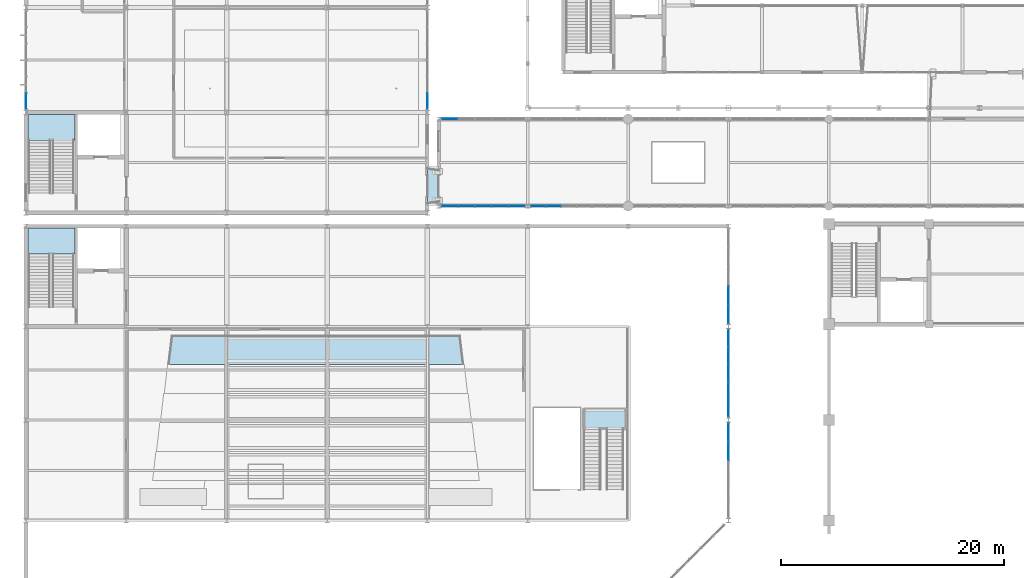
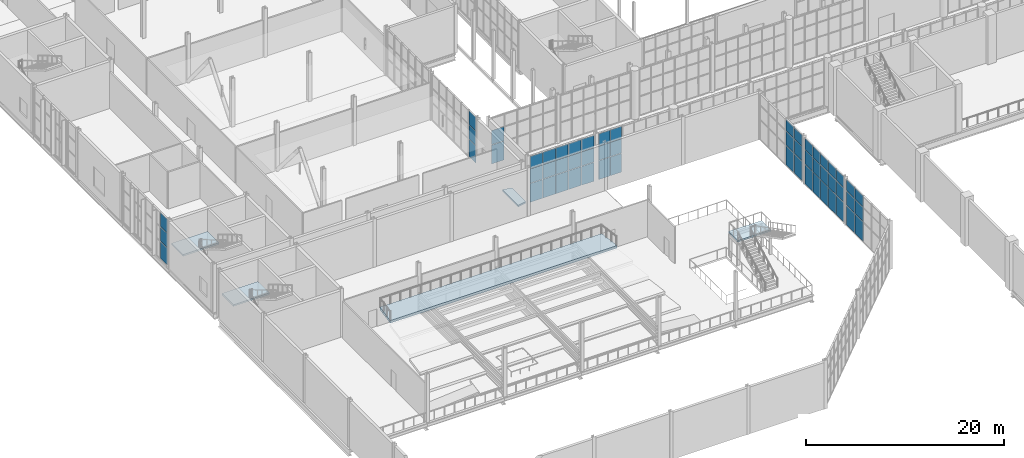
# One storey, part 95 of 159: 56 plates, 5 slabs, 11 elements without a shape of their own.
"""IFC4 building model written with IfcOpenShell, lengths in metres."""

from ifc_helpers import new_model, si_unit, direction, frame, origin, origin_2d, place, context, subcontext, project, spatial, polyline, rectangle, outline, extrude, material, layer, layer_set, type_object, element, aggregate, save


model = new_model("IFC4")

# Units and contexts
model_context = context("Model", 3, precision=1e-05, world=origin(), true_north=direction((0.0, 1.0)))
body_context = subcontext(model_context, "Body", "Model", "MODEL_VIEW")
ifc_project = project(units=[si_unit("LENGTHUNIT", "METRE"), si_unit("AREAUNIT", "SQUARE_METRE"), si_unit("VOLUMEUNIT", "CUBIC_METRE"), si_unit("PLANEANGLEUNIT", "RADIAN"), si_unit("MASSUNIT", "GRAM", prefix="KILO")], contexts=[model_context])

# Site, building, storey
site_placement = place(None, origin())
site = spatial("IfcSite", under=ifc_project, at=site_placement, CompositionType="ELEMENT")
building_placement = place(site_placement, origin())
building = spatial("IfcBuilding", under=site, at=building_placement, Name="Cazmaro Siding Exhibition Halls", CompositionType="ELEMENT")
storey_placement = place(building_placement, frame((0.0, 0.0, 6.0)))
storey = spatial("IfcBuildingStorey", under=building, at=storey_placement, Name="L01", CompositionType="ELEMENT", Elevation=6.0)

# Curtain wall, plates
ifc_material_1 = material(Name="Anodized Bronze Aluminum and Solar-Control Low-E Glazing", Category="aluminium")
ifc_layer_1 = layer(ifc_material_1, 0.179931640625)
ifc_layer_set_1 = layer_set([ifc_layer_1], Name="Anodized Bronze Aluminum and Solar-Control Low-E Glazing")
curtain_wall_type_1 = type_object("IfcCurtainWallType", Name="CWS-01", PredefinedType="USERDEFINED", material=ifc_layer_set_1)
curtain_wall_1_placement = place(storey_placement, origin())
curtain_wall_1 = element("IfcCurtainWall", 1, at=curtain_wall_1_placement, inside=storey, type_object=curtain_wall_type_1, Name="Glazed Curtain Wall CWS-01 CW-141", ObjectType="GLAZED CURTAIN WALL", PredefinedType="USERDEFINED")
ifc_material_2 = material(Name="Solar-Control Low-E Double Insulating Glass", Category="glass")
ifc_layer_2 = layer(ifc_material_2, 0.02392578125)
ifc_layer_set_2 = layer_set([ifc_layer_2], Name="Solar-Control Low-E Double Insulating Glass")
plate_type_1 = type_object("IfcPlateType", Name="CWP-01", PredefinedType="CURTAIN_PANEL", material=ifc_layer_set_2)
plate_1_placement = place(storey_placement, frame((37.9990234375, 55.199951171875, 0.06005859375), z_axis=(0.0, 0.0, 1.0), x_axis=(1.0, 0.0, 0.0)))
plate_1 = element("IfcPlate", 2, at=plate_1_placement, type_object=plate_type_1, Name="CWS-01 panel 1.1", PredefinedType="CURTAIN_PANEL", context=body_context, shape_type="SweptSolid", body=[
    extrude(rectangle(XDim=1.41796875, YDim=0.02392578125, at=origin_2d()), origin(), (0.0, 0.0, 1.0), 2.31005859375),
])
plate_2_placement = place(storey_placement, frame((37.9990234375, 55.199951171875, 2.43017578125), z_axis=(0.0, 0.0, 1.0), x_axis=(1.0, 0.0, 0.0)))
plate_2 = element("IfcPlate", 3, at=plate_2_placement, type_object=plate_type_1, Name="CWS-01 panel 1.2", PredefinedType="CURTAIN_PANEL", context=body_context, shape_type="SweptSolid", body=[
    extrude(rectangle(XDim=1.41796875, YDim=0.02392578125, at=origin_2d()), origin(), (0.0, 0.0, 1.0), 1.739990234375),
])
plate_3_placement = place(storey_placement, frame((37.9990234375, 55.199951171875, 4.22998046875), z_axis=(0.0, 0.0, 1.0), x_axis=(1.0, 0.0, 0.0)))
plate_3 = element("IfcPlate", 4, at=plate_3_placement, type_object=plate_type_1, Name="CWS-01 panel 1.3", PredefinedType="CURTAIN_PANEL", context=body_context, shape_type="SweptSolid", body=[
    extrude(rectangle(XDim=1.41796875, YDim=0.02392578125, at=origin_2d()), origin(), (0.0, 0.0, 1.0), 1.489990234375),
])
plate_4_placement = place(storey_placement, frame((39.491943359375, 55.199951171875, 0.06005859375), z_axis=(0.0, 0.0, 1.0), x_axis=(1.0, 0.0, 0.0)))
plate_4 = element("IfcPlate", 5, at=plate_4_placement, type_object=plate_type_1, Name="CWS-01 panel 2.1", PredefinedType="CURTAIN_PANEL", context=body_context, shape_type="SweptSolid", body=[
    extrude(rectangle(XDim=1.447998046875, YDim=0.02392578125, at=origin_2d()), origin(), (0.0, 0.0, 1.0), 2.31005859375),
])
plate_5_placement = place(storey_placement, frame((39.491943359375, 55.199951171875, 2.43017578125), z_axis=(0.0, 0.0, 1.0), x_axis=(1.0, 0.0, 0.0)))
plate_5 = element("IfcPlate", 6, at=plate_5_placement, type_object=plate_type_1, Name="CWS-01 panel 2.2", PredefinedType="CURTAIN_PANEL", context=body_context, shape_type="SweptSolid", body=[
    extrude(rectangle(XDim=1.447998046875, YDim=0.02392578125, at=origin_2d()), origin(), (0.0, 0.0, 1.0), 1.739990234375),
])
plate_6_placement = place(storey_placement, frame((39.491943359375, 55.199951171875, 4.22998046875), z_axis=(0.0, 0.0, 1.0), x_axis=(1.0, 0.0, 0.0)))
plate_6 = element("IfcPlate", 7, at=plate_6_placement, type_object=plate_type_1, Name="CWS-01 panel 2.3", PredefinedType="CURTAIN_PANEL", context=body_context, shape_type="SweptSolid", body=[
    extrude(rectangle(XDim=1.447998046875, YDim=0.02392578125, at=origin_2d()), origin(), (0.0, 0.0, 1.0), 1.489990234375),
])
plate_7_placement = place(storey_placement, frame((41.0, 55.199951171875, 0.06005859375), z_axis=(0.0, 0.0, 1.0), x_axis=(1.0, 0.0, 0.0)))
plate_7 = element("IfcPlate", 8, at=plate_7_placement, type_object=plate_type_1, Name="CWS-01 panel 3.1", PredefinedType="CURTAIN_PANEL", context=body_context, shape_type="SweptSolid", body=[
    extrude(rectangle(XDim=1.447998046875, YDim=0.02392578125, at=origin_2d()), origin(), (0.0, 0.0, 1.0), 2.31005859375),
])
plate_8_placement = place(storey_placement, frame((41.0, 55.199951171875, 2.43017578125), z_axis=(0.0, 0.0, 1.0), x_axis=(1.0, 0.0, 0.0)))
plate_8 = element("IfcPlate", 9, at=plate_8_placement, type_object=plate_type_1, Name="CWS-01 panel 3.2", PredefinedType="CURTAIN_PANEL", context=body_context, shape_type="SweptSolid", body=[
    extrude(rectangle(XDim=1.447998046875, YDim=0.02392578125, at=origin_2d()), origin(), (0.0, 0.0, 1.0), 1.739990234375),
])
plate_9_placement = place(storey_placement, frame((41.0, 55.199951171875, 4.22998046875), z_axis=(0.0, 0.0, 1.0), x_axis=(1.0, 0.0, 0.0)))
plate_9 = element("IfcPlate", 10, at=plate_9_placement, type_object=plate_type_1, Name="CWS-01 panel 3.3", PredefinedType="CURTAIN_PANEL", context=body_context, shape_type="SweptSolid", body=[
    extrude(rectangle(XDim=1.447998046875, YDim=0.02392578125, at=origin_2d()), origin(), (0.0, 0.0, 1.0), 1.489990234375),
])
plate_10_placement = place(storey_placement, frame((42.508056640625, 55.199951171875, 0.06005859375), z_axis=(0.0, 0.0, 1.0), x_axis=(1.0, 0.0, 0.0)))
plate_10 = element("IfcPlate", 11, at=plate_10_placement, type_object=plate_type_1, Name="CWS-01 panel 4.1", PredefinedType="CURTAIN_PANEL", context=body_context, shape_type="SweptSolid", body=[
    extrude(rectangle(XDim=1.447998046875, YDim=0.02392578125, at=origin_2d()), origin(), (0.0, 0.0, 1.0), 2.31005859375),
])
plate_11_placement = place(storey_placement, frame((42.508056640625, 55.199951171875, 2.43017578125), z_axis=(0.0, 0.0, 1.0), x_axis=(1.0, 0.0, 0.0)))
plate_11 = element("IfcPlate", 12, at=plate_11_placement, type_object=plate_type_1, Name="CWS-01 panel 4.2", PredefinedType="CURTAIN_PANEL", context=body_context, shape_type="SweptSolid", body=[
    extrude(rectangle(XDim=1.447998046875, YDim=0.02392578125, at=origin_2d()), origin(), (0.0, 0.0, 1.0), 1.739990234375),
])
plate_12_placement = place(storey_placement, frame((42.508056640625, 55.199951171875, 4.22998046875), z_axis=(0.0, 0.0, 1.0), x_axis=(1.0, 0.0, 0.0)))
plate_12 = element("IfcPlate", 13, at=plate_12_placement, type_object=plate_type_1, Name="CWS-01 panel 4.3", PredefinedType="CURTAIN_PANEL", context=body_context, shape_type="SweptSolid", body=[
    extrude(rectangle(XDim=1.447998046875, YDim=0.02392578125, at=origin_2d()), origin(), (0.0, 0.0, 1.0), 1.489990234375),
])
plate_13_placement = place(storey_placement, frame((44.0009765625, 55.199951171875, 0.06005859375), z_axis=(0.0, 0.0, 1.0), x_axis=(1.0, 0.0, 0.0)))
plate_13 = element("IfcPlate", 14, at=plate_13_placement, type_object=plate_type_1, Name="CWS-01 panel 5.1", PredefinedType="CURTAIN_PANEL", context=body_context, shape_type="SweptSolid", body=[
    extrude(rectangle(XDim=1.41796875, YDim=0.02392578125, at=origin_2d()), origin(), (0.0, 0.0, 1.0), 2.31005859375),
])
plate_14_placement = place(storey_placement, frame((44.0009765625, 55.199951171875, 2.43017578125), z_axis=(0.0, 0.0, 1.0), x_axis=(1.0, 0.0, 0.0)))
plate_14 = element("IfcPlate", 15, at=plate_14_placement, type_object=plate_type_1, Name="CWS-01 panel 5.2", PredefinedType="CURTAIN_PANEL", context=body_context, shape_type="SweptSolid", body=[
    extrude(rectangle(XDim=1.41796875, YDim=0.02392578125, at=origin_2d()), origin(), (0.0, 0.0, 1.0), 1.739990234375),
])
plate_15_placement = place(storey_placement, frame((44.0009765625, 55.199951171875, 4.22998046875), z_axis=(0.0, 0.0, 1.0), x_axis=(1.0, 0.0, 0.0)))
plate_15 = element("IfcPlate", 16, at=plate_15_placement, type_object=plate_type_1, Name="CWS-01 panel 5.3", PredefinedType="CURTAIN_PANEL", context=body_context, shape_type="SweptSolid", body=[
    extrude(rectangle(XDim=1.41796875, YDim=0.02392578125, at=origin_2d()), origin(), (0.0, 0.0, 1.0), 1.489990234375),
])
aggregate(curtain_wall_1, [plate_1, plate_2, plate_3, plate_4, plate_5, plate_6, plate_7, plate_8, plate_9, plate_10, plate_11, plate_12, plate_13, plate_14, plate_15])

curtain_wall_2_placement = place(storey_placement, origin())
curtain_wall_2 = element("IfcCurtainWall", 17, at=curtain_wall_2_placement, inside=storey, type_object=curtain_wall_type_1, Name="Glazed Curtain Wall CWS-01 CW-143", ObjectType="GLAZED CURTAIN WALL", PredefinedType="USERDEFINED")
plate_16_placement = place(storey_placement, frame((37.9990234375, 63.0, 0.06005859375), z_axis=(0.0, 0.0, 1.0), x_axis=(-1.0, 0.0, 0.0)))
plate_16 = element("IfcPlate", 18, at=plate_16_placement, type_object=plate_type_1, Name="CWS-01 panel 5.1", PredefinedType="CURTAIN_PANEL", context=body_context, shape_type="SweptSolid", body=[
    extrude(rectangle(XDim=1.41796875, YDim=0.02392578125, at=origin_2d()), origin(), (0.0, 0.0, 1.0), 2.31005859375),
])
plate_17_placement = place(storey_placement, frame((37.9990234375, 63.0, 2.43017578125), z_axis=(0.0, 0.0, 1.0), x_axis=(-1.0, 0.0, 0.0)))
plate_17 = element("IfcPlate", 19, at=plate_17_placement, type_object=plate_type_1, Name="CWS-01 panel 5.2", PredefinedType="CURTAIN_PANEL", context=body_context, shape_type="SweptSolid", body=[
    extrude(rectangle(XDim=1.41796875, YDim=0.02392578125, at=origin_2d()), origin(), (0.0, 0.0, 1.0), 1.739990234375),
])
aggregate(curtain_wall_2, [plate_16, plate_17])

curtain_wall_3_placement = place(storey_placement, origin())
curtain_wall_3 = element("IfcCurtainWall", 20, at=curtain_wall_3_placement, inside=storey, type_object=curtain_wall_type_1, Name="Glazed Curtain Wall CWS-01 CW-146", ObjectType="GLAZED CURTAIN WALL", PredefinedType="USERDEFINED")
plate_18_placement = place(storey_placement, frame((45.935546875, 55.199951171875, 0.06005859375), z_axis=(0.0, 0.0, 1.0), x_axis=(1.0, 0.0, 0.0)))
plate_18 = element("IfcPlate", 21, at=plate_18_placement, type_object=plate_type_1, Name="CWS-01 panel 1.1", PredefinedType="CURTAIN_PANEL", context=body_context, shape_type="SweptSolid", body=[
    extrude(rectangle(XDim=1.291259765625, YDim=0.02392578125, at=origin_2d()), origin(), (0.0, 0.0, 1.0), 2.31005859375),
])
plate_19_placement = place(storey_placement, frame((45.935546875, 55.199951171875, 2.43017578125), z_axis=(0.0, 0.0, 1.0), x_axis=(1.0, 0.0, 0.0)))
plate_19 = element("IfcPlate", 22, at=plate_19_placement, type_object=plate_type_1, Name="CWS-01 panel 1.2", PredefinedType="CURTAIN_PANEL", context=body_context, shape_type="SweptSolid", body=[
    extrude(rectangle(XDim=1.291259765625, YDim=0.02392578125, at=origin_2d()), origin(), (0.0, 0.0, 1.0), 1.739990234375),
])
plate_20_placement = place(storey_placement, frame((45.935546875, 55.199951171875, 4.22998046875), z_axis=(0.0, 0.0, 1.0), x_axis=(1.0, 0.0, 0.0)))
plate_20 = element("IfcPlate", 23, at=plate_20_placement, type_object=plate_type_1, Name="CWS-01 panel 1.3", PredefinedType="CURTAIN_PANEL", context=body_context, shape_type="SweptSolid", body=[
    extrude(rectangle(XDim=1.291259765625, YDim=0.02392578125, at=origin_2d()), origin(), (0.0, 0.0, 1.0), 1.489990234375),
])
plate_21_placement = place(storey_placement, frame((47.3017578125, 55.199951171875, 0.06005859375), z_axis=(0.0, 0.0, 1.0), x_axis=(1.0, 0.0, 0.0)))
plate_21 = element("IfcPlate", 24, at=plate_21_placement, type_object=plate_type_1, Name="CWS-01 panel 2.1", PredefinedType="CURTAIN_PANEL", context=body_context, shape_type="SweptSolid", body=[
    extrude(rectangle(XDim=1.321044921875, YDim=0.02392578125, at=origin_2d()), origin(), (0.0, 0.0, 1.0), 2.31005859375),
])
plate_22_placement = place(storey_placement, frame((47.3017578125, 55.199951171875, 2.43017578125), z_axis=(0.0, 0.0, 1.0), x_axis=(1.0, 0.0, 0.0)))
plate_22 = element("IfcPlate", 25, at=plate_22_placement, type_object=plate_type_1, Name="CWS-01 panel 2.2", PredefinedType="CURTAIN_PANEL", context=body_context, shape_type="SweptSolid", body=[
    extrude(rectangle(XDim=1.321044921875, YDim=0.02392578125, at=origin_2d()), origin(), (0.0, 0.0, 1.0), 1.739990234375),
])
plate_23_placement = place(storey_placement, frame((47.3017578125, 55.199951171875, 4.22998046875), z_axis=(0.0, 0.0, 1.0), x_axis=(1.0, 0.0, 0.0)))
plate_23 = element("IfcPlate", 26, at=plate_23_placement, type_object=plate_type_1, Name="CWS-01 panel 2.3", PredefinedType="CURTAIN_PANEL", context=body_context, shape_type="SweptSolid", body=[
    extrude(rectangle(XDim=1.321044921875, YDim=0.02392578125, at=origin_2d()), origin(), (0.0, 0.0, 1.0), 1.489990234375),
])
aggregate(curtain_wall_3, [plate_18, plate_19, plate_20, plate_21, plate_22, plate_23])

curtain_wall_4_placement = place(storey_placement, origin())
curtain_wall_4 = element("IfcCurtainWall", 27, at=curtain_wall_4_placement, inside=storey, type_object=curtain_wall_type_1, Name="Glazed Curtain Wall CWS-01 CW-231", ObjectType="GLAZED CURTAIN WALL", PredefinedType="USERDEFINED")
plate_24_placement = place(storey_placement, frame((36.0, 64.609130859375, 0.06005859375), z_axis=(0.0, 0.0, 1.0), x_axis=(0.0, 1.0, 0.0)))
plate_24 = element("IfcPlate", 28, at=plate_24_placement, type_object=plate_type_1, Name="CWS-01 panel 1.1", PredefinedType="CURTAIN_PANEL", context=body_context, shape_type="SweptSolid", body=[
    extrude(rectangle(XDim=1.392333984375, YDim=0.02392578125, at=origin_2d()), origin(), (0.0, 0.0, 1.0), 2.110107421875),
])
plate_25_placement = place(storey_placement, frame((36.0, 64.609130859375, 2.22998046875), z_axis=(0.0, 0.0, 1.0), x_axis=(0.0, 1.0, 0.0)))
plate_25 = element("IfcPlate", 29, at=plate_25_placement, type_object=plate_type_1, Name="CWS-01 panel 1.2", PredefinedType="CURTAIN_PANEL", context=body_context, shape_type="SweptSolid", body=[
    extrude(rectangle(XDim=1.392333984375, YDim=0.02392578125, at=origin_2d()), origin(), (0.0, 0.0, 1.0), 1.739990234375),
])
plate_26_placement = place(storey_placement, frame((36.0, 64.609130859375, 4.030029296875), z_axis=(0.0, 0.0, 1.0), x_axis=(0.0, 1.0, 0.0)))
plate_26 = element("IfcPlate", 30, at=plate_26_placement, type_object=plate_type_1, Name="CWS-01 panel 1.3", PredefinedType="CURTAIN_PANEL", context=body_context, shape_type="SweptSolid", body=[
    extrude(rectangle(XDim=1.392333984375, YDim=0.02392578125, at=origin_2d()), origin(), (0.0, 0.0, 1.0), 1.68994140625),
])
aggregate(curtain_wall_4, [plate_24, plate_25, plate_26])

ifc_material_3 = material(Name="Anodized Bronze Aluminum and Solar-Control Low-E Glazing", Category="aluminium")
ifc_layer_3 = layer(ifc_material_3, 0.199951171875)
ifc_layer_set_3 = layer_set([ifc_layer_3], Name="Anodized Bronze Aluminum and Solar-Control Low-E Glazing")
curtain_wall_type_2 = type_object("IfcCurtainWallType", Name="CWS-02", PredefinedType="USERDEFINED", material=ifc_layer_set_3)
curtain_wall_5_placement = place(storey_placement, origin())
curtain_wall_5 = element("IfcCurtainWall", 31, at=curtain_wall_5_placement, inside=storey, type_object=curtain_wall_type_2, Name="Glazed Curtain Wall CWS-02 CW-217", ObjectType="GLAZED CURTAIN WALL", PredefinedType="USERDEFINED")
ifc_material_4 = material(Name="Solar-Control Low-E Double Insulating Glass", Category="glass")
ifc_layer_4 = layer(ifc_material_4, 0.035888671875)
ifc_layer_set_4 = layer_set([ifc_layer_4], Name="Solar-Control Low-E Double Insulating Glass")
plate_type_2 = type_object("IfcPlateType", Name="CWP-02", PredefinedType="CURTAIN_PANEL", material=ifc_layer_set_4)
plate_27_placement = place(storey_placement, frame((63.0, 33.20751953125, 0.06494140625), z_axis=(0.0, 0.0, 1.0), x_axis=(0.0, 1.0, 0.0)))
plate_27 = element("IfcPlate", 32, at=plate_27_placement, type_object=plate_type_2, Name="CWS-02 panel 4.1", PredefinedType="CURTAIN_PANEL", context=body_context, shape_type="SweptSolid", body=[
    extrude(rectangle(XDim=1.642578125, YDim=0.035888671875, at=origin_2d()), origin(), (0.0, 0.0, 1.0), 2.402587890625),
])
plate_28_placement = place(storey_placement, frame((63.0, 33.20751953125, 2.5322265625), z_axis=(0.0, 0.0, 1.0), x_axis=(0.0, 1.0, 0.0)))
plate_28 = element("IfcPlate", 33, at=plate_28_placement, type_object=plate_type_2, Name="CWS-02 panel 4.2", PredefinedType="CURTAIN_PANEL", context=body_context, shape_type="SweptSolid", body=[
    extrude(rectangle(XDim=1.642578125, YDim=0.035888671875, at=origin_2d()), origin(), (0.0, 0.0, 1.0), 1.735107421875),
])
plate_29_placement = place(storey_placement, frame((63.0, 33.20751953125, 4.33251953125), z_axis=(0.0, 0.0, 1.0), x_axis=(0.0, 1.0, 0.0)))
plate_29 = element("IfcPlate", 34, at=plate_29_placement, type_object=plate_type_2, Name="CWS-02 panel 4.3", PredefinedType="CURTAIN_PANEL", context=body_context, shape_type="SweptSolid", body=[
    extrude(rectangle(XDim=1.642578125, YDim=0.035888671875, at=origin_2d()), origin(), (0.0, 0.0, 1.0), 1.3525390625),
])
plate_30_placement = place(storey_placement, frame((63.0, 34.89892578125, 0.06494140625), z_axis=(0.0, 0.0, 1.0), x_axis=(0.0, 1.0, 0.0)))
plate_30 = element("IfcPlate", 35, at=plate_30_placement, type_object=plate_type_2, Name="CWS-02 panel 5.1", PredefinedType="CURTAIN_PANEL", context=body_context, shape_type="SweptSolid", body=[
    extrude(rectangle(XDim=1.610107421875, YDim=0.035888671875, at=origin_2d()), origin(), (0.0, 0.0, 1.0), 2.402587890625),
])
plate_31_placement = place(storey_placement, frame((63.0, 34.89892578125, 2.5322265625), z_axis=(0.0, 0.0, 1.0), x_axis=(0.0, 1.0, 0.0)))
plate_31 = element("IfcPlate", 36, at=plate_31_placement, type_object=plate_type_2, Name="CWS-02 panel 5.2", PredefinedType="CURTAIN_PANEL", context=body_context, shape_type="SweptSolid", body=[
    extrude(rectangle(XDim=1.610107421875, YDim=0.035888671875, at=origin_2d()), origin(), (0.0, 0.0, 1.0), 1.735107421875),
])
plate_32_placement = place(storey_placement, frame((63.0, 34.89892578125, 4.33251953125), z_axis=(0.0, 0.0, 1.0), x_axis=(0.0, 1.0, 0.0)))
plate_32 = element("IfcPlate", 37, at=plate_32_placement, type_object=plate_type_2, Name="CWS-02 panel 5.3", PredefinedType="CURTAIN_PANEL", context=body_context, shape_type="SweptSolid", body=[
    extrude(rectangle(XDim=1.610107421875, YDim=0.035888671875, at=origin_2d()), origin(), (0.0, 0.0, 1.0), 1.3525390625),
])
aggregate(curtain_wall_5, [plate_27, plate_28, plate_29, plate_30, plate_31, plate_32])

curtain_wall_6_placement = place(storey_placement, origin())
curtain_wall_6 = element("IfcCurtainWall", 38, at=curtain_wall_6_placement, inside=storey, type_object=curtain_wall_type_2, Name="Glazed Curtain Wall CWS-02 CW-219", ObjectType="GLAZED CURTAIN WALL", PredefinedType="USERDEFINED")
plate_33_placement = place(storey_placement, frame((63.0, 37.041015625, 0.06494140625), z_axis=(0.0, 0.0, 1.0), x_axis=(0.0, 1.0, 0.0)))
plate_33 = element("IfcPlate", 39, at=plate_33_placement, type_object=plate_type_2, Name="CWS-02 panel 1.1", PredefinedType="CURTAIN_PANEL", context=body_context, shape_type="SweptSolid", body=[
    extrude(rectangle(XDim=1.489990234375, YDim=0.035888671875, at=origin_2d()), origin(), (0.0, 0.0, 1.0), 2.402587890625),
])
plate_34_placement = place(storey_placement, frame((63.0, 37.041015625, 2.5322265625), z_axis=(0.0, 0.0, 1.0), x_axis=(0.0, 1.0, 0.0)))
plate_34 = element("IfcPlate", 40, at=plate_34_placement, type_object=plate_type_2, Name="CWS-02 panel 1.2", PredefinedType="CURTAIN_PANEL", context=body_context, shape_type="SweptSolid", body=[
    extrude(rectangle(XDim=1.489990234375, YDim=0.035888671875, at=origin_2d()), origin(), (0.0, 0.0, 1.0), 1.735107421875),
])
plate_35_placement = place(storey_placement, frame((63.0, 37.041015625, 4.33251953125), z_axis=(0.0, 0.0, 1.0), x_axis=(0.0, 1.0, 0.0)))
plate_35 = element("IfcPlate", 41, at=plate_35_placement, type_object=plate_type_2, Name="CWS-02 panel 1.3", PredefinedType="CURTAIN_PANEL", context=body_context, shape_type="SweptSolid", body=[
    extrude(rectangle(XDim=1.489990234375, YDim=0.035888671875, at=origin_2d()), origin(), (0.0, 0.0, 1.0), 1.3525390625),
])
plate_36_placement = place(storey_placement, frame((63.0, 38.6123046875, 0.06494140625), z_axis=(0.0, 0.0, 1.0), x_axis=(0.0, 1.0, 0.0)))
plate_36 = element("IfcPlate", 42, at=plate_36_placement, type_object=plate_type_2, Name="CWS-02 panel 2.1", PredefinedType="CURTAIN_PANEL", context=body_context, shape_type="SweptSolid", body=[
    extrude(rectangle(XDim=1.522705078125, YDim=0.035888671875, at=origin_2d()), origin(), (0.0, 0.0, 1.0), 2.402587890625),
])
plate_37_placement = place(storey_placement, frame((63.0, 38.6123046875, 2.5322265625), z_axis=(0.0, 0.0, 1.0), x_axis=(0.0, 1.0, 0.0)))
plate_37 = element("IfcPlate", 43, at=plate_37_placement, type_object=plate_type_2, Name="CWS-02 panel 2.2", PredefinedType="CURTAIN_PANEL", context=body_context, shape_type="SweptSolid", body=[
    extrude(rectangle(XDim=1.522705078125, YDim=0.035888671875, at=origin_2d()), origin(), (0.0, 0.0, 1.0), 1.735107421875),
])
plate_38_placement = place(storey_placement, frame((63.0, 38.6123046875, 4.33251953125), z_axis=(0.0, 0.0, 1.0), x_axis=(0.0, 1.0, 0.0)))
plate_38 = element("IfcPlate", 44, at=plate_38_placement, type_object=plate_type_2, Name="CWS-02 panel 2.3", PredefinedType="CURTAIN_PANEL", context=body_context, shape_type="SweptSolid", body=[
    extrude(rectangle(XDim=1.522705078125, YDim=0.035888671875, at=origin_2d()), origin(), (0.0, 0.0, 1.0), 1.3525390625),
])
plate_39_placement = place(storey_placement, frame((63.0, 40.199951171875, 0.06494140625), z_axis=(0.0, 0.0, 1.0), x_axis=(0.0, 1.0, 0.0)))
plate_39 = element("IfcPlate", 45, at=plate_39_placement, type_object=plate_type_2, Name="CWS-02 panel 3.1", PredefinedType="CURTAIN_PANEL", context=body_context, shape_type="SweptSolid", body=[
    extrude(rectangle(XDim=1.522705078125, YDim=0.035888671875, at=origin_2d()), origin(), (0.0, 0.0, 1.0), 2.402587890625),
])
plate_40_placement = place(storey_placement, frame((63.0, 40.199951171875, 2.5322265625), z_axis=(0.0, 0.0, 1.0), x_axis=(0.0, 1.0, 0.0)))
plate_40 = element("IfcPlate", 46, at=plate_40_placement, type_object=plate_type_2, Name="CWS-02 panel 3.2", PredefinedType="CURTAIN_PANEL", context=body_context, shape_type="SweptSolid", body=[
    extrude(rectangle(XDim=1.522705078125, YDim=0.035888671875, at=origin_2d()), origin(), (0.0, 0.0, 1.0), 1.735107421875),
])
plate_41_placement = place(storey_placement, frame((63.0, 40.199951171875, 4.33251953125), z_axis=(0.0, 0.0, 1.0), x_axis=(0.0, 1.0, 0.0)))
plate_41 = element("IfcPlate", 47, at=plate_41_placement, type_object=plate_type_2, Name="CWS-02 panel 3.3", PredefinedType="CURTAIN_PANEL", context=body_context, shape_type="SweptSolid", body=[
    extrude(rectangle(XDim=1.522705078125, YDim=0.035888671875, at=origin_2d()), origin(), (0.0, 0.0, 1.0), 1.3525390625),
])
plate_42_placement = place(storey_placement, frame((63.0, 41.78759765625, 0.06494140625), z_axis=(0.0, 0.0, 1.0), x_axis=(0.0, 1.0, 0.0)))
plate_42 = element("IfcPlate", 48, at=plate_42_placement, type_object=plate_type_2, Name="CWS-02 panel 4.1", PredefinedType="CURTAIN_PANEL", context=body_context, shape_type="SweptSolid", body=[
    extrude(rectangle(XDim=1.522705078125, YDim=0.035888671875, at=origin_2d()), origin(), (0.0, 0.0, 1.0), 2.402587890625),
])
plate_43_placement = place(storey_placement, frame((63.0, 41.78759765625, 2.5322265625), z_axis=(0.0, 0.0, 1.0), x_axis=(0.0, 1.0, 0.0)))
plate_43 = element("IfcPlate", 49, at=plate_43_placement, type_object=plate_type_2, Name="CWS-02 panel 4.2", PredefinedType="CURTAIN_PANEL", context=body_context, shape_type="SweptSolid", body=[
    extrude(rectangle(XDim=1.522705078125, YDim=0.035888671875, at=origin_2d()), origin(), (0.0, 0.0, 1.0), 1.735107421875),
])
plate_44_placement = place(storey_placement, frame((63.0, 41.78759765625, 4.33251953125), z_axis=(0.0, 0.0, 1.0), x_axis=(0.0, 1.0, 0.0)))
plate_44 = element("IfcPlate", 50, at=plate_44_placement, type_object=plate_type_2, Name="CWS-02 panel 4.3", PredefinedType="CURTAIN_PANEL", context=body_context, shape_type="SweptSolid", body=[
    extrude(rectangle(XDim=1.522705078125, YDim=0.035888671875, at=origin_2d()), origin(), (0.0, 0.0, 1.0), 1.3525390625),
])
plate_45_placement = place(storey_placement, frame((63.0, 43.35888671875, 0.06494140625), z_axis=(0.0, 0.0, 1.0), x_axis=(0.0, 1.0, 0.0)))
plate_45 = element("IfcPlate", 51, at=plate_45_placement, type_object=plate_type_2, Name="CWS-02 panel 5.1", PredefinedType="CURTAIN_PANEL", context=body_context, shape_type="SweptSolid", body=[
    extrude(rectangle(XDim=1.489990234375, YDim=0.035888671875, at=origin_2d()), origin(), (0.0, 0.0, 1.0), 2.402587890625),
])
plate_46_placement = place(storey_placement, frame((63.0, 43.35888671875, 2.5322265625), z_axis=(0.0, 0.0, 1.0), x_axis=(0.0, 1.0, 0.0)))
plate_46 = element("IfcPlate", 52, at=plate_46_placement, type_object=plate_type_2, Name="CWS-02 panel 5.2", PredefinedType="CURTAIN_PANEL", context=body_context, shape_type="SweptSolid", body=[
    extrude(rectangle(XDim=1.489990234375, YDim=0.035888671875, at=origin_2d()), origin(), (0.0, 0.0, 1.0), 1.735107421875),
])
plate_47_placement = place(storey_placement, frame((63.0, 43.35888671875, 4.33251953125), z_axis=(0.0, 0.0, 1.0), x_axis=(0.0, 1.0, 0.0)))
plate_47 = element("IfcPlate", 53, at=plate_47_placement, type_object=plate_type_2, Name="CWS-02 panel 5.3", PredefinedType="CURTAIN_PANEL", context=body_context, shape_type="SweptSolid", body=[
    extrude(rectangle(XDim=1.489990234375, YDim=0.035888671875, at=origin_2d()), origin(), (0.0, 0.0, 1.0), 1.3525390625),
])
aggregate(curtain_wall_6, [plate_33, plate_34, plate_35, plate_36, plate_37, plate_38, plate_39, plate_40, plate_41, plate_42, plate_43, plate_44, plate_45, plate_46, plate_47])

curtain_wall_7_placement = place(storey_placement, origin())
curtain_wall_7 = element("IfcCurtainWall", 54, at=curtain_wall_7_placement, inside=storey, type_object=curtain_wall_type_2, Name="Glazed Curtain Wall CWS-02 CW-221", ObjectType="GLAZED CURTAIN WALL", PredefinedType="USERDEFINED")
plate_48_placement = place(storey_placement, frame((63.0, 45.5009765625, 0.06494140625), z_axis=(0.0, 0.0, 1.0), x_axis=(0.0, 1.0, 0.0)))
plate_48 = element("IfcPlate", 55, at=plate_48_placement, type_object=plate_type_2, Name="CWS-02 panel 1.1", PredefinedType="CURTAIN_PANEL", context=body_context, shape_type="SweptSolid", body=[
    extrude(rectangle(XDim=1.610107421875, YDim=0.035888671875, at=origin_2d()), origin(), (0.0, 0.0, 1.0), 2.402587890625),
])
plate_49_placement = place(storey_placement, frame((63.0, 45.5009765625, 2.5322265625), z_axis=(0.0, 0.0, 1.0), x_axis=(0.0, 1.0, 0.0)))
plate_49 = element("IfcPlate", 56, at=plate_49_placement, type_object=plate_type_2, Name="CWS-02 panel 1.2", PredefinedType="CURTAIN_PANEL", context=body_context, shape_type="SweptSolid", body=[
    extrude(rectangle(XDim=1.610107421875, YDim=0.035888671875, at=origin_2d()), origin(), (0.0, 0.0, 1.0), 1.735107421875),
])
plate_50_placement = place(storey_placement, frame((63.0, 45.5009765625, 4.33251953125), z_axis=(0.0, 0.0, 1.0), x_axis=(0.0, 1.0, 0.0)))
plate_50 = element("IfcPlate", 57, at=plate_50_placement, type_object=plate_type_2, Name="CWS-02 panel 1.3", PredefinedType="CURTAIN_PANEL", context=body_context, shape_type="SweptSolid", body=[
    extrude(rectangle(XDim=1.610107421875, YDim=0.035888671875, at=origin_2d()), origin(), (0.0, 0.0, 1.0), 1.3525390625),
])
plate_51_placement = place(storey_placement, frame((63.0, 47.1923828125, 0.06494140625), z_axis=(0.0, 0.0, 1.0), x_axis=(0.0, 1.0, 0.0)))
plate_51 = element("IfcPlate", 58, at=plate_51_placement, type_object=plate_type_2, Name="CWS-02 panel 2.1", PredefinedType="CURTAIN_PANEL", context=body_context, shape_type="SweptSolid", body=[
    extrude(rectangle(XDim=1.642578125, YDim=0.035888671875, at=origin_2d()), origin(), (0.0, 0.0, 1.0), 2.402587890625),
])
plate_52_placement = place(storey_placement, frame((63.0, 47.1923828125, 2.5322265625), z_axis=(0.0, 0.0, 1.0), x_axis=(0.0, 1.0, 0.0)))
plate_52 = element("IfcPlate", 59, at=plate_52_placement, type_object=plate_type_2, Name="CWS-02 panel 2.2", PredefinedType="CURTAIN_PANEL", context=body_context, shape_type="SweptSolid", body=[
    extrude(rectangle(XDim=1.642578125, YDim=0.035888671875, at=origin_2d()), origin(), (0.0, 0.0, 1.0), 1.735107421875),
])
plate_53_placement = place(storey_placement, frame((63.0, 47.1923828125, 4.33251953125), z_axis=(0.0, 0.0, 1.0), x_axis=(0.0, 1.0, 0.0)))
plate_53 = element("IfcPlate", 60, at=plate_53_placement, type_object=plate_type_2, Name="CWS-02 panel 2.3", PredefinedType="CURTAIN_PANEL", context=body_context, shape_type="SweptSolid", body=[
    extrude(rectangle(XDim=1.642578125, YDim=0.035888671875, at=origin_2d()), origin(), (0.0, 0.0, 1.0), 1.3525390625),
])
aggregate(curtain_wall_7, [plate_48, plate_49, plate_50, plate_51, plate_52, plate_53])

curtain_wall_8_placement = place(storey_placement, origin())
curtain_wall_8 = element("IfcCurtainWall", 61, at=curtain_wall_8_placement, inside=storey, type_object=curtain_wall_type_2, Name="Glazed Curtain Wall CWS-02 CW-230", ObjectType="GLAZED CURTAIN WALL", PredefinedType="USERDEFINED")
plate_54_placement = place(storey_placement, frame((0.0, 64.6103515625, 0.06494140625), z_axis=(0.0, 0.0, 1.0), x_axis=(0.0, -1.0, 0.0)))
plate_54 = element("IfcPlate", 62, at=plate_54_placement, type_object=plate_type_2, Name="CWS-02 panel 6.1", PredefinedType="CURTAIN_PANEL", context=body_context, shape_type="SweptSolid", body=[
    extrude(rectangle(XDim=1.384765625, YDim=0.035888671875, at=origin_2d()), origin(), (0.0, 0.0, 1.0), 2.1025390625),
])
plate_55_placement = place(storey_placement, frame((0.0, 64.6103515625, 2.232421875), z_axis=(0.0, 0.0, 1.0), x_axis=(0.0, -1.0, 0.0)))
plate_55 = element("IfcPlate", 63, at=plate_55_placement, type_object=plate_type_2, Name="CWS-02 panel 6.2", PredefinedType="CURTAIN_PANEL", context=body_context, shape_type="SweptSolid", body=[
    extrude(rectangle(XDim=1.384765625, YDim=0.035888671875, at=origin_2d()), origin(), (0.0, 0.0, 1.0), 1.735107421875),
])
plate_56_placement = place(storey_placement, frame((0.0, 64.6103515625, 4.032470703125), z_axis=(0.0, 0.0, 1.0), x_axis=(0.0, -1.0, 0.0)))
plate_56 = element("IfcPlate", 64, at=plate_56_placement, type_object=plate_type_2, Name="CWS-02 panel 6.3", PredefinedType="CURTAIN_PANEL", context=body_context, shape_type="SweptSolid", body=[
    extrude(rectangle(XDim=1.384765625, YDim=0.035888671875, at=origin_2d()), origin(), (0.0, 0.0, 1.0), 1.6826171875),
])
aggregate(curtain_wall_8, [plate_54, plate_55, plate_56])

# Slab
ifc_material_5 = material(Name="Concrete f'c 35 MPa", Category="concrete")
ifc_layer_5 = layer(ifc_material_5, 0.18994140625)
ifc_layer_set_5 = layer_set([ifc_layer_5], Name="Concrete f'c 35 MPa")
slab_type_1 = type_object("IfcSlabType", Name="FS-04", PredefinedType="FLOOR", material=ifc_layer_set_5)
slab_1_placement = place(storey_placement, frame((0.0, 0.0, -0.18994140625)))
element("IfcSlab", 65, at=slab_1_placement, inside=storey, type_object=slab_type_1, Name="Concourse Sliding Bridge SB-04 L01 FS-04 SLB-0052", PredefinedType="FLOOR", context=body_context, shape_type="SweptSolid", body=[
    extrude(outline(polyline([(36.0, 55.39990234375), (37.0, 55.60009765625), (37.0, 58.39990234375), (36.0, 58.60009765625), (36.0, 55.39990234375)])), origin(), (0.0, 0.0, 1.0), 0.18994140625),
])

# Stair, slab
ifc_material_6 = material(Name="Concrete f'c 40 MPa", Category="concrete")
stair_type_1 = type_object("IfcStairType", Name="STT-12", PredefinedType="TWO_STRAIGHT_RUN_STAIR", material=ifc_material_6)
stair_1_placement = place(storey_placement, origin())
stair_1 = element("IfcStair", 66, at=stair_1_placement, inside=storey, type_object=stair_type_1, Name="Core C6 Exit Stair L01-L02 ST-12", PredefinedType="TWO_STRAIGHT_RUN_STAIR")
ifc_material_7 = material(Name="Concrete f'c 40 MPa", Category="concrete")
ifc_layer_6 = layer(ifc_material_7, 0.199951171875)
ifc_layer_set_6 = layer_set([ifc_layer_6], Name="Concrete f'c 40 MPa")
slab_type_2 = type_object("IfcSlabType", Name="LND-12", PredefinedType="LANDING", material=ifc_layer_set_6)
slab_2_placement = place(storey_placement, frame((0.0, 0.0, 2.800048828125)))
slab_2 = element("IfcSlab", 67, at=slab_2_placement, type_object=slab_type_2, Name="ST-12 landing 1", PredefinedType="LANDING", context=body_context, shape_type="SweptSolid", body=[
    extrude(outline(polyline([(0.175048828125, 50.89990234375), (4.3798828125, 50.89990234375), (4.3798828125, 53.22509765625), (0.175048828125, 53.22509765625), (0.175048828125, 50.89990234375)])), origin(), (0.0, 0.0, 1.0), 0.199951171875),
])
aggregate(stair_1, [slab_2])

ifc_material_8 = material(Name="Concrete f'c 40 MPa", Category="concrete")
stair_type_2 = type_object("IfcStairType", Name="STT-14", PredefinedType="TWO_STRAIGHT_RUN_STAIR", material=ifc_material_8)
stair_2_placement = place(storey_placement, origin())
stair_2 = element("IfcStair", 68, at=stair_2_placement, inside=storey, type_object=stair_type_2, Name="Core C7 Exit Stair L01-L02 ST-14", PredefinedType="TWO_STRAIGHT_RUN_STAIR")
ifc_material_9 = material(Name="Concrete f'c 40 MPa", Category="concrete")
ifc_layer_7 = layer(ifc_material_9, 0.199951171875)
ifc_layer_set_7 = layer_set([ifc_layer_7], Name="Concrete f'c 40 MPa")
slab_type_3 = type_object("IfcSlabType", Name="LND-14", PredefinedType="LANDING", material=ifc_layer_set_7)
slab_3_placement = place(storey_placement, frame((0.0, 0.0, 2.800048828125)))
slab_3 = element("IfcSlab", 69, at=slab_3_placement, type_object=slab_type_3, Name="ST-14 landing 1", PredefinedType="LANDING", context=body_context, shape_type="SweptSolid", body=[
    extrude(outline(polyline([(0.175048828125, 61.10009765625), (4.3798828125, 61.10009765625), (4.3798828125, 63.425048828125), (0.175048828125, 63.425048828125), (0.175048828125, 61.10009765625)])), origin(), (0.0, 0.0, 1.0), 0.199951171875),
])
aggregate(stair_2, [slab_3])

ifc_material_10 = material(Name="Steel ASTM A992 Grade 50 Stringers with Precast Treads", Category="concrete")
stair_type_3 = type_object("IfcStairType", Name="STT-27", PredefinedType="TWO_STRAIGHT_RUN_STAIR", material=ifc_material_10)
stair_3_placement = place(storey_placement, origin())
stair_3 = element("IfcStair", 70, at=stair_3_placement, inside=storey, type_object=stair_type_3, Name="Congress Banquet Grand Stair L01-L02 ST-27", PredefinedType="TWO_STRAIGHT_RUN_STAIR")
ifc_material_11 = material(Name="Concrete f'c 40 MPa", Category="concrete")
ifc_layer_8 = layer(ifc_material_11, 0.199951171875)
ifc_layer_set_8 = layer_set([ifc_layer_8], Name="Concrete f'c 40 MPa")
slab_type_4 = type_object("IfcSlabType", Name="LND-27", PredefinedType="LANDING", material=ifc_layer_set_8)
slab_4_placement = place(storey_placement, frame((0.0, 0.0, 2.800048828125)))
slab_4 = element("IfcSlab", 71, at=slab_4_placement, type_object=slab_type_4, Name="ST-27 landing 1", PredefinedType="LANDING", context=body_context, shape_type="SweptSolid", body=[
    extrude(outline(polyline([(50.0, 35.199951171875), (53.85009765625, 35.199951171875), (53.85009765625, 37.080078125), (50.0, 37.080078125), (50.0, 35.199951171875)])), origin(), (0.0, 0.0, 1.0), 0.199951171875),
])
aggregate(stair_3, [slab_4])

# Slab
ifc_material_12 = material(Name="Precast concrete f'c 40 MPa", Category="concrete")
ifc_layer_9 = layer(ifc_material_12, 0.320068359375)
ifc_layer_set_9 = layer_set([ifc_layer_9], Name="Precast concrete f'c 40 MPa")
slab_type_5 = type_object("IfcSlabType", Name="ST-T1", PredefinedType="USERDEFINED", material=ifc_layer_set_9)
slab_5_placement = place(storey_placement, frame((0.0, 0.0, 2.330078125)))
element("IfcSlab", 72, at=slab_5_placement, inside=storey, type_object=slab_type_5, Name="Stand Upper Balcony Tier Row 6 ST-T1 SLB-0065", ObjectType="SEATING TIER", PredefinedType="USERDEFINED", context=body_context, shape_type="SweptSolid", body=[
    extrude(outline(polyline([(12.75, 41.0), (39.25, 41.0), (38.949951171875, 43.60009765625), (13.050048828125, 43.60009765625), (12.75, 41.0)])), origin(), (0.0, 0.0, 1.0), 0.31982421875),
])

save(model, "model.ifc")
